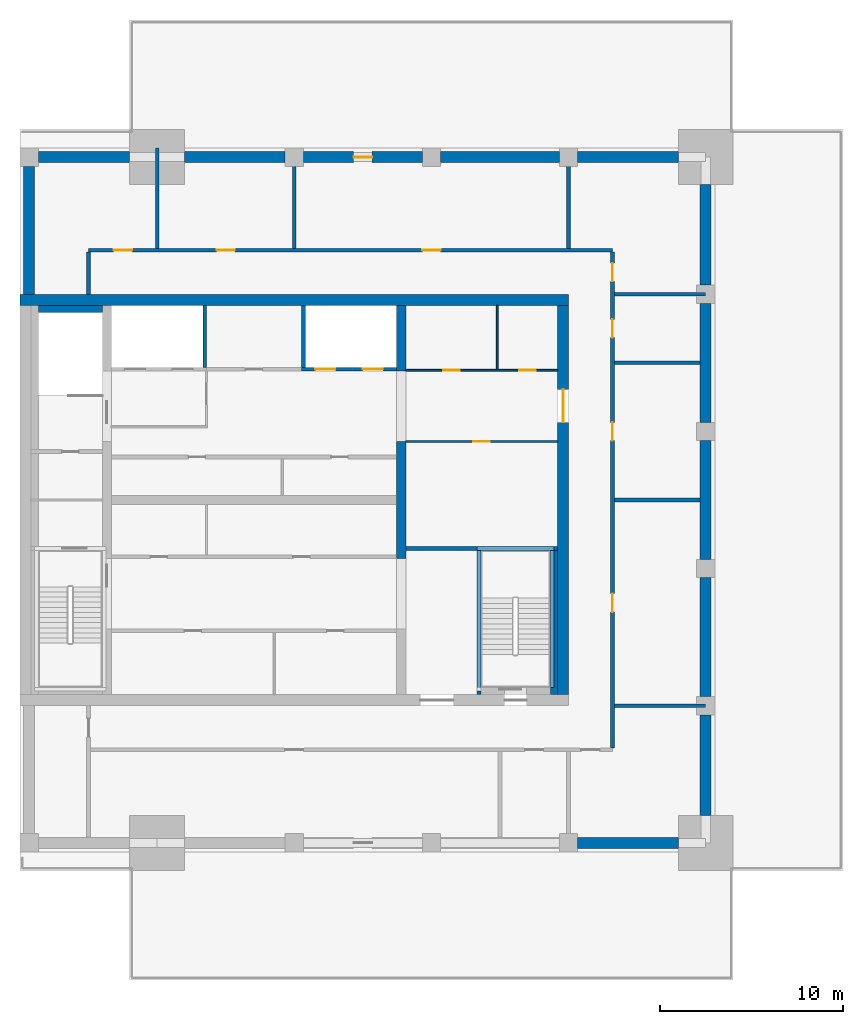
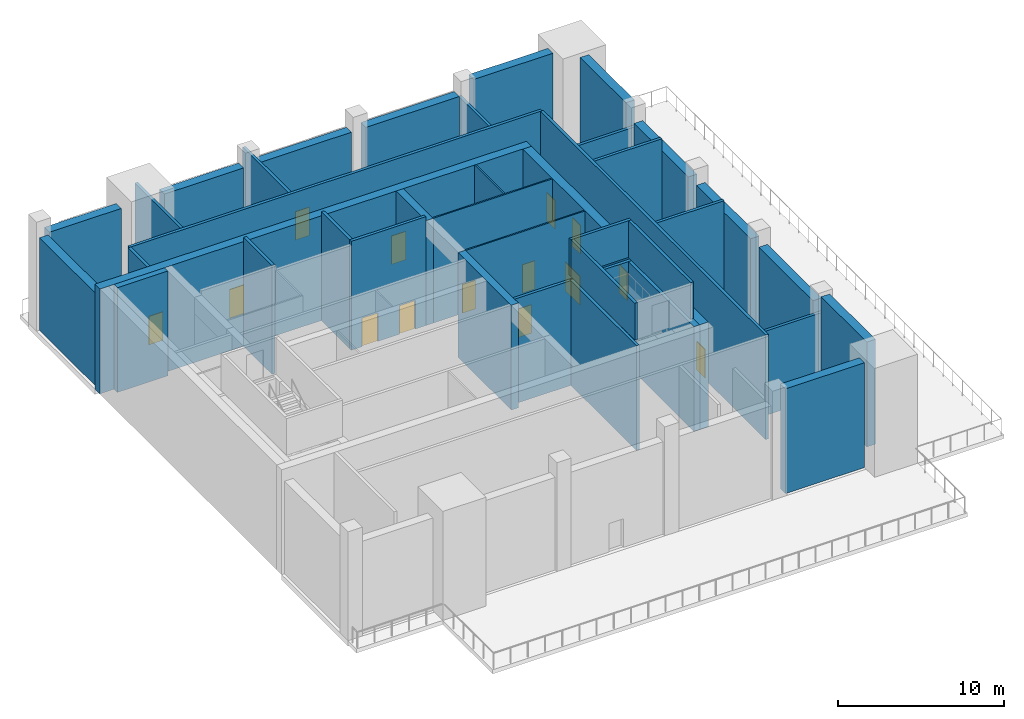
# One storey, part 3 of 7: 39 walls, 14 doors, 14 openings.
"""IFC4 building model written with IfcOpenShell, lengths in metres."""

from ifc_helpers import new_model, si_unit, direction, frame, frame_2d, origin, place, context, subcontext, project, spatial, rectangle, extrude, material, layer, layer_set, type_object, element, fill, save


model = new_model("IFC4")

# Units and contexts
model_context = context("Model", 3, precision=1e-05, world=origin(), true_north=direction((0.0, 1.0)))
body_context = subcontext(model_context, "Body", "Model", "MODEL_VIEW")
ifc_project = project(units=[si_unit("LENGTHUNIT", "METRE"), si_unit("AREAUNIT", "SQUARE_METRE"), si_unit("VOLUMEUNIT", "CUBIC_METRE"), si_unit("PLANEANGLEUNIT", "RADIAN"), si_unit("MASSUNIT", "GRAM", prefix="KILO")], contexts=[model_context])

# Site, building, storey
site_placement = place(None, origin())
site = spatial("IfcSite", under=ifc_project, at=site_placement, CompositionType="ELEMENT")
building_placement = place(site_placement, origin())
building = spatial("IfcBuilding", under=site, at=building_placement, Name="Tamorin Gate", CompositionType="ELEMENT")
storey_placement = place(building_placement, frame((0.0, 0.0, 320.199951171875)))
storey = spatial("IfcBuildingStorey", under=building, at=storey_placement, Name="L78", CompositionType="ELEMENT", Elevation=320.199951171875)

# Walls
ifc_material_1 = material(Name="Concrete C40/50", Category="concrete")
ifc_layer_1 = layer(ifc_material_1, 0.199951171875)
ifc_layer_set_1 = layer_set([ifc_layer_1], Name="Head-house wall 200 EI 120 C40/50")
wall_type_1 = type_object("IfcWallType", Name="Head-house wall 200 EI 120 C40/50", PredefinedType="SOLIDWALL", material=ifc_layer_set_1)
wall_1_placement = place(storey_placement, frame((55.10009765625, 60.800048828125, 8.0), z_axis=(0.0, 0.0, 1.0), x_axis=(0.0, 1.0, 0.0)))
element("IfcWall", 1, at=wall_1_placement, inside=storey, type_object=wall_type_1, Name="Head-house wall", PredefinedType="SOLIDWALL", context=body_context, shape_type="SweptSolid", body=[
    extrude(rectangle(XDim=7.89990234375, YDim=0.199951171875, at=frame_2d((3.949951171875, 0.0))), origin(), (0.0, 0.0, 1.0), 2.699951171875),
])
wall_2_placement = place(storey_placement, frame((59.10009765625, 61.0, 8.0), z_axis=(0.0, 0.0, 1.0), x_axis=(0.0, 1.0, 0.0)))
element("IfcWall", 2, at=wall_2_placement, inside=storey, type_object=wall_type_1, Name="Head-house wall", PredefinedType="SOLIDWALL", context=body_context, shape_type="SweptSolid", body=[
    extrude(rectangle(XDim=7.699951171875, YDim=0.199951171875, at=frame_2d((3.85009765625, 0.0))), origin(), (0.0, 0.0, 1.0), 2.699951171875),
])
wall_3_placement = place(storey_placement, frame((55.0, 68.60009765625, 8.0), z_axis=(0.0, 0.0, 1.0), x_axis=(1.0, 0.0, 0.0)))
element("IfcWall", 3, at=wall_3_placement, inside=storey, type_object=wall_type_1, Name="Head-house wall", PredefinedType="SOLIDWALL", context=body_context, shape_type="SweptSolid", body=[
    extrude(rectangle(XDim=4.199951171875, YDim=0.199951171875, at=frame_2d((2.10009765625, 0.0))), origin(), (0.0, 0.0, 1.0), 2.699951171875),
])

# Wall, openings, doors
ifc_material_2 = material(Name="Concrete C32/40", Category="concrete")
ifc_layer_2 = layer(ifc_material_2, 0.199951171875)
ifc_layer_set_2 = layer_set([ifc_layer_2], Name="Lift lobby face wall 200 EI 120")
wall_type_2 = type_object("IfcWallType", Name="Lift lobby face wall 200 EI 120", PredefinedType="SOLIDWALL", material=ifc_layer_set_2)
wall_4_placement = place(storey_placement, frame((45.39990234375, 78.39990234375, 0.0), z_axis=(0.0, 0.0, 1.0), x_axis=(1.0, 0.0, 0.0)))
wall_4 = element("IfcWall", 4, at=wall_4_placement, inside=storey, type_object=wall_type_2, Name="Lift lobby face wall", PredefinedType="SOLIDWALL", context=body_context, shape_type="SweptSolid", body=[
    extrude(rectangle(XDim=5.2001953125, YDim=0.199951171875, at=frame_2d((2.60009765625, 0.0))), origin(), (0.0, 0.0, 1.0), 8.0),
])
opening_1_placement = place(wall_4_placement, frame((0.75, 0.0, 0.0)))
opening_1 = element("IfcOpeningElement", 5, at=opening_1_placement, cuts=wall_4, Name="Opening LD21", PredefinedType="OPENING", context=body_context, shape_type="SweptSolid", body=[
    extrude(rectangle(XDim=1.10009765625, YDim=2.10009765625, at=frame_2d((0.550048828125, 1.050048828125))), frame((0.0, 0.10986328125, 0.0), z_axis=(0.0, -1.0, 0.0), x_axis=(1.0, 0.0, 0.0)), (0.0, 0.0, 1.0), 0.219970703125),
])
opening_2_placement = place(wall_4_placement, frame((3.35009765625, 0.0, 0.0)))
opening_2 = element("IfcOpeningElement", 6, at=opening_2_placement, cuts=wall_4, Name="Opening LD22", PredefinedType="OPENING", context=body_context, shape_type="SweptSolid", body=[
    extrude(rectangle(XDim=1.10009765625, YDim=2.10009765625, at=frame_2d((0.550048828125, 1.050048828125))), frame((0.0, 0.10986328125, 0.0), z_axis=(0.0, -1.0, 0.0), x_axis=(1.0, 0.0, 0.0)), (0.0, 0.0, 1.0), 0.219970703125),
])
ifc_material_3 = material(Name="Stainless steel sliding door", Category="steel")
door_type_1 = type_object("IfcDoorType", Name="Lift landing door 1100 x 2100 E 90", OperationType="DOUBLE_DOOR_SLIDING", PredefinedType="DOOR", material=ifc_material_3)
door_1_placement = place(opening_1_placement, origin())
door_1 = element("IfcDoor", 7, at=door_1_placement, inside=storey, type_object=door_type_1, Name="SV1 landing door", OperationType="DOUBLE_DOOR_SLIDING", OverallHeight=2.10009765625, OverallWidth=1.10009765625, PredefinedType="DOOR", context=body_context, shape_type="SweptSolid", body=[
    extrude(rectangle(XDim=1.10009765625, YDim=2.10009765625, at=frame_2d((0.550048828125, 1.050048828125))), frame((0.0, 0.02490234375, 0.0), z_axis=(0.0, -1.0, 0.0), x_axis=(1.0, 0.0, 0.0)), (0.0, 0.0, 1.0), 0.050048828125),
])
fill(opening_1, door_1)
door_2_placement = place(opening_2_placement, origin())
door_2 = element("IfcDoor", 8, at=door_2_placement, inside=storey, type_object=door_type_1, Name="SV2 landing door", OperationType="DOUBLE_DOOR_SLIDING", OverallHeight=2.10009765625, OverallWidth=1.10009765625, PredefinedType="DOOR", context=body_context, shape_type="SweptSolid", body=[
    extrude(rectangle(XDim=1.10009765625, YDim=2.10009765625, at=frame_2d((0.550048828125, 1.050048828125))), frame((0.0, 0.02490234375, 0.0), z_axis=(0.0, -1.0, 0.0), x_axis=(1.0, 0.0, 0.0)), (0.0, 0.0, 1.0), 0.050048828125),
])
fill(opening_2, door_2)

# Walls
ifc_layer_3 = layer(ifc_material_2, 0.199951171875)
ifc_layer_set_3 = layer_set([ifc_layer_3], Name="Lift shaft wall 200 EI 120")
wall_type_3 = type_object("IfcWallType", Name="Lift shaft wall 200 EI 120", PredefinedType="SOLIDWALL", material=ifc_layer_set_3)
for number, where, z_axis, x_axis, name in (
    (9, (40.10009765625, 78.5, 0.0), (0.0, 0.0, 1.0), (0.0, 1.0, 0.0), "Lift shaft wall"),
    (10, (45.5, 78.5, 0.0), (0.0, 0.0, 1.0), (0.0, 1.0, 0.0), "Lift shaft wall"),
):
    element("IfcWall", number, at=place(storey_placement, frame(where, z_axis=z_axis, x_axis=x_axis)), inside=storey, type_object=wall_type_3, Name=name, PredefinedType="SOLIDWALL", context=body_context, shape_type="SweptSolid", body=[
        extrude(rectangle(XDim=3.39990234375, YDim=0.199951171875, at=frame_2d((1.699951171875, 0.0))), origin(), (0.0, 0.0, 1.0), 8.0),
    ])
ifc_material_4 = material(Name="Aluminium louvres in concrete frame", Category="concrete")
ifc_layer_4 = layer(ifc_material_4, 0.60009765625)
ifc_layer_set_4 = layer_set([ifc_layer_4], Name="Louvred plant wall 600")
wall_type_4 = type_object("IfcWallType", Name="Louvred plant wall 600", PredefinedType="ELEMENTEDWALL", material=ifc_layer_set_4)
for number, where, z_axis, x_axis, name in (
    (11, (60.5, 52.5, 0.0), (0.0, 0.0, 1.0), (1.0, 0.0, 0.0), "Louvred plant wall"),
    (12, (67.5, 54.0, 0.0), (0.0, 0.0, 1.0), (0.0, 1.0, 0.0), "Louvred plant wall"),
):
    element("IfcWall", number, at=place(storey_placement, frame(where, z_axis=z_axis, x_axis=x_axis)), inside=storey, type_object=wall_type_4, Name=name, PredefinedType="ELEMENTEDWALL", context=body_context, shape_type="SweptSolid", body=[
        extrude(rectangle(XDim=5.5, YDim=0.60009765625, at=frame_2d((2.75, 0.0))), origin(), (0.0, 0.0, 1.0), 7.699951171875),
    ])
for number, where, z_axis, x_axis, name in (
    (13, (67.5, 60.5, 0.0), (0.0, 0.0, 1.0), (0.0, 1.0, 0.0), "Louvred plant wall"),
    (14, (67.5, 68.0, 0.0), (0.0, 0.0, 1.0), (0.0, 1.0, 0.0), "Louvred plant wall"),
    (15, (67.5, 75.5, 0.0), (0.0, 0.0, 1.0), (0.0, 1.0, 0.0), "Louvred plant wall"),
):
    element("IfcWall", number, at=place(storey_placement, frame(where, z_axis=z_axis, x_axis=x_axis)), inside=storey, type_object=wall_type_4, Name=name, PredefinedType="ELEMENTEDWALL", context=body_context, shape_type="SweptSolid", body=[
        extrude(rectangle(XDim=6.5, YDim=0.60009765625, at=frame_2d((3.25, 0.0))), origin(), (0.0, 0.0, 1.0), 6.800048828125),
    ])
for number, where, z_axis, x_axis, name in (
    (16, (67.5, 83.0, 0.0), (0.0, 0.0, 1.0), (0.0, 1.0, 0.0), "Louvred plant wall"),
    (17, (66.0, 90.0, 0.0), (0.0, 0.0, 1.0), (-1.0, 0.0, 0.0), "Louvred plant wall"),
):
    element("IfcWall", number, at=place(storey_placement, frame(where, z_axis=z_axis, x_axis=x_axis)), inside=storey, type_object=wall_type_4, Name=name, PredefinedType="ELEMENTEDWALL", context=body_context, shape_type="SweptSolid", body=[
        extrude(rectangle(XDim=5.5, YDim=0.60009765625, at=frame_2d((2.75, 0.0))), origin(), (0.0, 0.0, 1.0), 7.699951171875),
    ])
wall_5_placement = place(storey_placement, frame((59.5, 90.0, 0.0), z_axis=(0.0, 0.0, 1.0), x_axis=(-1.0, 0.0, 0.0)))
element("IfcWall", 18, at=wall_5_placement, inside=storey, type_object=wall_type_4, Name="Louvred plant wall", PredefinedType="ELEMENTEDWALL", context=body_context, shape_type="SweptSolid", body=[
    extrude(rectangle(XDim=6.5, YDim=0.60009765625, at=frame_2d((3.25, 0.0))), origin(), (0.0, 0.0, 1.0), 6.800048828125),
])

# Wall, opening, door
wall_6_placement = place(storey_placement, frame((52.0, 90.0, 0.0), z_axis=(0.0, 0.0, 1.0), x_axis=(-1.0, 0.0, 0.0)))
wall_6 = element("IfcWall", 19, at=wall_6_placement, inside=storey, type_object=wall_type_4, Name="Louvred plant wall", PredefinedType="ELEMENTEDWALL", context=body_context, shape_type="SweptSolid", body=[
    extrude(rectangle(XDim=6.5, YDim=0.60009765625, at=frame_2d((3.25, 0.0))), origin(), (0.0, 0.0, 1.0), 6.800048828125),
])
opening_3_placement = place(wall_6_placement, frame((2.75, 0.0, 0.0)))
opening_3 = element("IfcOpeningElement", 20, at=opening_3_placement, cuts=wall_6, Name="Opening DX2", PredefinedType="OPENING", context=body_context, shape_type="SweptSolid", body=[
    extrude(rectangle(XDim=1.0, YDim=2.10009765625, at=frame_2d((0.5, 1.050048828125))), frame((0.0, 0.31005859375, 0.0), z_axis=(0.0, -1.0, 0.0), x_axis=(1.0, 0.0, 0.0)), (0.0, 0.0, 1.0), 0.6201171875),
])
ifc_material_5 = material(Name="Steel louvred leaf", Category="steel")
door_type_2 = type_object("IfcDoorType", Name="Plant door 1000x2100", OperationType="SINGLE_SWING_LEFT", PredefinedType="DOOR", material=ifc_material_5)
door_3_placement = place(opening_3_placement, origin())
door_3 = element("IfcDoor", 21, at=door_3_placement, inside=storey, type_object=door_type_2, Name="Plant door onto roof terrace", OperationType="SINGLE_SWING_LEFT", OverallHeight=2.10009765625, OverallWidth=1.0, PredefinedType="DOOR", context=body_context, shape_type="SweptSolid", body=[
    extrude(rectangle(XDim=1.0, YDim=2.10009765625, at=frame_2d((0.5, 1.050048828125))), frame((0.0, 0.02490234375, 0.0), z_axis=(0.0, -1.0, 0.0), x_axis=(1.0, 0.0, 0.0)), (0.0, 0.0, 1.0), 0.050048828125),
])
fill(opening_3, door_3)

# Walls
wall_7_placement = place(storey_placement, frame((44.5, 90.0, 0.0), z_axis=(0.0, 0.0, 1.0), x_axis=(-1.0, 0.0, 0.0)))
element("IfcWall", 22, at=wall_7_placement, inside=storey, type_object=wall_type_4, Name="Louvred plant wall", PredefinedType="ELEMENTEDWALL", context=body_context, shape_type="SweptSolid", body=[
    extrude(rectangle(XDim=5.5, YDim=0.60009765625, at=frame_2d((2.75, 0.0))), origin(), (0.0, 0.0, 1.0), 6.800048828125),
])
wall_8_placement = place(storey_placement, frame((36.0, 90.0, 0.0), z_axis=(0.0, 0.0, 1.0), x_axis=(-1.0, 0.0, 0.0)))
element("IfcWall", 23, at=wall_8_placement, inside=storey, type_object=wall_type_4, Name="Louvred plant wall", PredefinedType="ELEMENTEDWALL", context=body_context, shape_type="SweptSolid", body=[
    extrude(rectangle(XDim=5.0, YDim=0.60009765625, at=frame_2d((2.5, 0.0))), origin(), (0.0, 0.0, 1.0), 6.800048828125),
])
wall_9_placement = place(storey_placement, frame((30.5, 89.5, 0.0), z_axis=(0.0, 0.0, 1.0), x_axis=(0.0, -1.0, 0.0)))
element("IfcWall", 24, at=wall_9_placement, inside=storey, type_object=wall_type_4, Name="Louvred plant wall", PredefinedType="ELEMENTEDWALL", context=body_context, shape_type="SweptSolid", body=[
    extrude(rectangle(XDim=7.0, YDim=0.60009765625, at=frame_2d((3.5, 0.0))), origin(), (0.0, 0.0, 1.0), 6.800048828125),
])
ifc_material_6 = material(Name="Gypsum board partition")
ifc_layer_5 = layer(ifc_material_6, 0.199951171875)
ifc_layer_set_5 = layer_set([ifc_layer_5], Name="Plant and refuge wall 200")
wall_type_5 = type_object("IfcWallType", Name="Plant and refuge wall 200", PredefinedType="PARTITIONING", material=ifc_layer_set_5)
wall_10_placement = place(storey_placement, frame((62.5, 60.0, 0.0), z_axis=(0.0, 0.0, 1.0), x_axis=(1.0, 0.0, 0.0)))
element("IfcWall", 25, at=wall_10_placement, inside=storey, type_object=wall_type_5, Name="Plant and refuge wall 200", PredefinedType="PARTITIONING", context=body_context, shape_type="SweptSolid", body=[
    extrude(rectangle(XDim=5.0, YDim=0.199951171875, at=frame_2d((2.5, 0.0))), origin(), (0.0, 0.0, 1.0), 6.199951171875),
])
for number, where, z_axis, x_axis, name in (
    (26, (62.5, 71.25, 0.0), (0.0, 0.0, 1.0), (1.0, 0.0, 0.0), "Plant and refuge wall 200"),
    (27, (62.5, 78.75, 0.0), (0.0, 0.0, 1.0), (1.0, 0.0, 0.0), "Plant and refuge wall 200"),
):
    element("IfcWall", number, at=place(storey_placement, frame(where, z_axis=z_axis, x_axis=x_axis)), inside=storey, type_object=wall_type_5, Name=name, PredefinedType="PARTITIONING", context=body_context, shape_type="SweptSolid", body=[
        extrude(rectangle(XDim=4.68994140625, YDim=0.199951171875, at=frame_2d((2.344970703125, 0.0))), origin(), (0.0, 0.0, 1.0), 7.699951171875),
    ])
wall_11_placement = place(storey_placement, frame((62.5, 82.5, 0.0), z_axis=(0.0, 0.0, 1.0), x_axis=(1.0, 0.0, 0.0)))
element("IfcWall", 28, at=wall_11_placement, inside=storey, type_object=wall_type_5, Name="Plant and refuge wall 200", PredefinedType="PARTITIONING", context=body_context, shape_type="SweptSolid", body=[
    extrude(rectangle(XDim=5.0, YDim=0.199951171875, at=frame_2d((2.5, 0.0))), origin(), (0.0, 0.0, 1.0), 6.199951171875),
])

# Wall, openings, doors
wall_12_placement = place(storey_placement, frame((33.75, 84.89990234375, 0.0), z_axis=(0.0, 0.0, 1.0), x_axis=(1.0, 0.0, 0.0)))
wall_12 = element("IfcWall", 29, at=wall_12_placement, inside=storey, type_object=wall_type_5, Name="Plant and refuge wall 200", PredefinedType="PARTITIONING", context=body_context, shape_type="SweptSolid", body=[
    extrude(rectangle(XDim=28.64990234375, YDim=0.199951171875, at=frame_2d((14.324951171875, 0.0))), origin(), (0.0, 0.0, 1.0), 7.699951171875),
])
opening_4_placement = place(wall_12_placement, frame((1.375, 0.0, 0.0)))
opening_4 = element("IfcOpeningElement", 30, at=opening_4_placement, cuts=wall_12, Name="Opening DCR1005", PredefinedType="OPENING", context=body_context, shape_type="SweptSolid", body=[
    extrude(rectangle(XDim=1.0, YDim=2.10009765625, at=frame_2d((0.5, 1.050048828125))), frame((0.0, 0.10986328125, 0.0), z_axis=(0.0, -1.0, 0.0), x_axis=(1.0, 0.0, 0.0)), (0.0, 0.0, 1.0), 0.219970703125),
])
opening_5_placement = place(wall_12_placement, frame((7.0, 0.0, 0.0)))
opening_5 = element("IfcOpeningElement", 31, at=opening_5_placement, cuts=wall_12, Name="Opening DCR1006", PredefinedType="OPENING", context=body_context, shape_type="SweptSolid", body=[
    extrude(rectangle(XDim=1.0, YDim=2.10009765625, at=frame_2d((0.5, 1.050048828125))), frame((0.0, 0.10986328125, 0.0), z_axis=(0.0, -1.0, 0.0), x_axis=(1.0, 0.0, 0.0)), (0.0, 0.0, 1.0), 0.219970703125),
])
opening_6_placement = place(wall_12_placement, frame((18.25, 0.0, 0.0)))
opening_6 = element("IfcOpeningElement", 32, at=opening_6_placement, cuts=wall_12, Name="Opening DCR1007", PredefinedType="OPENING", context=body_context, shape_type="SweptSolid", body=[
    extrude(rectangle(XDim=1.0, YDim=2.10009765625, at=frame_2d((0.5, 1.050048828125))), frame((0.0, 0.10986328125, 0.0), z_axis=(0.0, -1.0, 0.0), x_axis=(1.0, 0.0, 0.0)), (0.0, 0.0, 1.0), 0.219970703125),
])
ifc_material_7 = material(Name="Timber door leaf", Category="wood")
door_type_3 = type_object("IfcDoorType", Name="Door 1000 x 2100 FD60", OperationType="NOTDEFINED", PredefinedType="DOOR", material=ifc_material_7)
door_4_placement = place(opening_4_placement, origin())
door_4 = element("IfcDoor", 33, at=door_4_placement, inside=storey, type_object=door_type_3, Name="Door DCR1005", OperationType="SINGLE_SWING_LEFT", OverallHeight=2.10009765625, OverallWidth=1.0, PredefinedType="DOOR", context=body_context, shape_type="SweptSolid", body=[
    extrude(rectangle(XDim=1.0, YDim=2.10009765625, at=frame_2d((0.5, 1.050048828125))), frame((0.0, 0.02490234375, 0.0), z_axis=(0.0, -1.0, 0.0), x_axis=(1.0, 0.0, 0.0)), (0.0, 0.0, 1.0), 0.050048828125),
])
fill(opening_4, door_4)
door_5_placement = place(opening_5_placement, origin())
door_5 = element("IfcDoor", 34, at=door_5_placement, inside=storey, type_object=door_type_3, Name="Door DCR1006", OperationType="SINGLE_SWING_LEFT", OverallHeight=2.10009765625, OverallWidth=1.0, PredefinedType="DOOR", context=body_context, shape_type="SweptSolid", body=[
    extrude(rectangle(XDim=1.0, YDim=2.10009765625, at=frame_2d((0.5, 1.050048828125))), frame((0.0, 0.02490234375, 0.0), z_axis=(0.0, -1.0, 0.0), x_axis=(1.0, 0.0, 0.0)), (0.0, 0.0, 1.0), 0.050048828125),
])
fill(opening_5, door_5)
door_6_placement = place(opening_6_placement, origin())
door_6 = element("IfcDoor", 35, at=door_6_placement, inside=storey, type_object=door_type_3, Name="Door DCR1007", OperationType="SINGLE_SWING_LEFT", OverallHeight=2.10009765625, OverallWidth=1.0, PredefinedType="DOOR", context=body_context, shape_type="SweptSolid", body=[
    extrude(rectangle(XDim=1.0, YDim=2.10009765625, at=frame_2d((0.5, 1.050048828125))), frame((0.0, 0.02490234375, 0.0), z_axis=(0.0, -1.0, 0.0), x_axis=(1.0, 0.0, 0.0)), (0.0, 0.0, 1.0), 0.050048828125),
])
fill(opening_6, door_6)

# Walls
wall_13_placement = place(storey_placement, frame((33.75, 82.5, 0.0), z_axis=(0.0, 0.0, 1.0), x_axis=(0.0, 1.0, 0.0)))
element("IfcWall", 36, at=wall_13_placement, inside=storey, type_object=wall_type_5, Name="Plant and refuge wall 200", PredefinedType="PARTITIONING", context=body_context, shape_type="SweptSolid", body=[
    extrude(rectangle(XDim=2.300048828125, YDim=0.199951171875, at=frame_2d((1.14990234375, 0.0))), origin(), (0.0, 0.0, 1.0), 7.699951171875),
])
for number, where, z_axis, x_axis, name in (
    (37, (37.5, 85.0, 0.0), (0.0, 0.0, 1.0), (0.0, 1.0, 0.0), "Plant and refuge wall 200"),
    (38, (45.0, 85.0, 0.0), (0.0, 0.0, 1.0), (0.0, 1.0, 0.0), "Plant and refuge wall 200"),
):
    element("IfcWall", number, at=place(storey_placement, frame(where, z_axis=z_axis, x_axis=x_axis)), inside=storey, type_object=wall_type_5, Name=name, PredefinedType="PARTITIONING", context=body_context, shape_type="SweptSolid", body=[
        extrude(rectangle(XDim=5.5, YDim=0.199951171875, at=frame_2d((2.75, 0.0))), origin(), (0.0, 0.0, 1.0), 7.699951171875),
    ])
wall_14_placement = place(storey_placement, frame((60.0, 85.0, 0.0), z_axis=(0.0, 0.0, 1.0), x_axis=(0.0, 1.0, 0.0)))
element("IfcWall", 39, at=wall_14_placement, inside=storey, type_object=wall_type_5, Name="Plant and refuge wall 200", PredefinedType="PARTITIONING", context=body_context, shape_type="SweptSolid", body=[
    extrude(rectangle(XDim=5.5, YDim=0.199951171875, at=frame_2d((2.75, 0.0))), origin(), (0.0, 0.0, 1.0), 6.199951171875),
])

# Wall, openings, doors
wall_15_placement = place(storey_placement, frame((62.39990234375, 57.699951171875, 0.0), z_axis=(0.0, 0.0, 1.0), x_axis=(0.0, 1.0, 0.0)))
wall_15 = element("IfcWall", 40, at=wall_15_placement, inside=storey, type_object=wall_type_5, Name="Plant and refuge wall 200", PredefinedType="PARTITIONING", context=body_context, shape_type="SweptSolid", body=[
    extrude(rectangle(XDim=27.10009765625, YDim=0.199951171875, at=frame_2d((13.550048828125, 0.0))), origin(), (0.0, 0.0, 1.0), 7.699951171875),
])
opening_7_placement = place(wall_15_placement, frame((25.5, 0.0, 0.0)))
opening_7 = element("IfcOpeningElement", 41, at=opening_7_placement, cuts=wall_15, Name="Opening DCR1008", PredefinedType="OPENING", context=body_context, shape_type="SweptSolid", body=[
    extrude(rectangle(XDim=1.0, YDim=2.10009765625, at=frame_2d((0.5, 1.050048828125))), frame((0.0, 0.10986328125, 0.0), z_axis=(0.0, -1.0, 0.0), x_axis=(1.0, 0.0, 0.0)), (0.0, 0.0, 1.0), 0.219970703125),
])
opening_8_placement = place(wall_15_placement, frame((7.425048828125, 0.0, 0.0)))
opening_8 = element("IfcOpeningElement", 42, at=opening_8_placement, cuts=wall_15, Name="Opening DCR1009", PredefinedType="OPENING", context=body_context, shape_type="SweptSolid", body=[
    extrude(rectangle(XDim=1.0, YDim=2.10009765625, at=frame_2d((0.5, 1.050048828125))), frame((0.0, 0.10986328125, 0.0), z_axis=(0.0, -1.0, 0.0), x_axis=(1.0, 0.0, 0.0)), (0.0, 0.0, 1.0), 0.219970703125),
])
opening_9_placement = place(wall_15_placement, frame((16.800048828125, 0.0, 0.0)))
opening_9 = element("IfcOpeningElement", 43, at=opening_9_placement, cuts=wall_15, Name="Opening DCR1010", PredefinedType="OPENING", context=body_context, shape_type="SweptSolid", body=[
    extrude(rectangle(XDim=1.0, YDim=2.10009765625, at=frame_2d((0.5, 1.050048828125))), frame((0.0, 0.10986328125, 0.0), z_axis=(0.0, -1.0, 0.0), x_axis=(1.0, 0.0, 0.0)), (0.0, 0.0, 1.0), 0.219970703125),
])
opening_10_placement = place(wall_15_placement, frame((22.425048828125, 0.0, 0.0)))
opening_10 = element("IfcOpeningElement", 44, at=opening_10_placement, cuts=wall_15, Name="Opening DCR1011", PredefinedType="OPENING", context=body_context, shape_type="SweptSolid", body=[
    extrude(rectangle(XDim=1.0, YDim=2.10009765625, at=frame_2d((0.5, 1.050048828125))), frame((0.0, 0.10986328125, 0.0), z_axis=(0.0, -1.0, 0.0), x_axis=(1.0, 0.0, 0.0)), (0.0, 0.0, 1.0), 0.219970703125),
])
door_7_placement = place(opening_7_placement, origin())
door_7 = element("IfcDoor", 45, at=door_7_placement, inside=storey, type_object=door_type_3, Name="Door DCR1008", OperationType="SINGLE_SWING_LEFT", OverallHeight=2.10009765625, OverallWidth=1.0, PredefinedType="DOOR", context=body_context, shape_type="SweptSolid", body=[
    extrude(rectangle(XDim=1.0, YDim=2.10009765625, at=frame_2d((0.5, 1.050048828125))), frame((0.0, 0.02490234375, 0.0), z_axis=(0.0, -1.0, 0.0), x_axis=(1.0, 0.0, 0.0)), (0.0, 0.0, 1.0), 0.050048828125),
])
fill(opening_7, door_7)
door_8_placement = place(opening_8_placement, origin())
door_8 = element("IfcDoor", 46, at=door_8_placement, inside=storey, type_object=door_type_3, Name="Door DCR1009", OperationType="SINGLE_SWING_RIGHT", OverallHeight=2.10009765625, OverallWidth=1.0, PredefinedType="DOOR", context=body_context, shape_type="SweptSolid", body=[
    extrude(rectangle(XDim=1.0, YDim=2.10009765625, at=frame_2d((0.5, 1.050048828125))), frame((0.0, 0.02490234375, 0.0), z_axis=(0.0, -1.0, 0.0), x_axis=(1.0, 0.0, 0.0)), (0.0, 0.0, 1.0), 0.050048828125),
])
fill(opening_8, door_8)
door_9_placement = place(opening_9_placement, origin())
door_9 = element("IfcDoor", 47, at=door_9_placement, inside=storey, type_object=door_type_3, Name="Door DCR1010", OperationType="SINGLE_SWING_RIGHT", OverallHeight=2.10009765625, OverallWidth=1.0, PredefinedType="DOOR", context=body_context, shape_type="SweptSolid", body=[
    extrude(rectangle(XDim=1.0, YDim=2.10009765625, at=frame_2d((0.5, 1.050048828125))), frame((0.0, 0.02490234375, 0.0), z_axis=(0.0, -1.0, 0.0), x_axis=(1.0, 0.0, 0.0)), (0.0, 0.0, 1.0), 0.050048828125),
])
fill(opening_9, door_9)
door_10_placement = place(opening_10_placement, origin())
door_10 = element("IfcDoor", 48, at=door_10_placement, inside=storey, type_object=door_type_3, Name="Door DCR1011", OperationType="SINGLE_SWING_RIGHT", OverallHeight=2.10009765625, OverallWidth=1.0, PredefinedType="DOOR", context=body_context, shape_type="SweptSolid", body=[
    extrude(rectangle(XDim=1.0, YDim=2.10009765625, at=frame_2d((0.5, 1.050048828125))), frame((0.0, 0.02490234375, 0.0), z_axis=(0.0, -1.0, 0.0), x_axis=(1.0, 0.0, 0.0)), (0.0, 0.0, 1.0), 0.050048828125),
])
fill(opening_10, door_10)

# Walls
ifc_material_8 = material(Name="Concrete C50/60", Category="concrete")
ifc_layer_6 = layer(ifc_material_8, 0.5)
ifc_layer_set_6 = layer_set([ifc_layer_6], Name="RC core internal wall 500 C50/60")
wall_type_6 = type_object("IfcWallType", Name="RC core internal wall 500 C50/60", PredefinedType="SHEAR", material=ifc_layer_set_6)
wall_16_placement = place(storey_placement, frame((50.85009765625, 68.050048828125, 0.0), z_axis=(0.0, 0.0, 1.0), x_axis=(0.0, 1.0, 0.0)))
element("IfcWall", 49, at=wall_16_placement, inside=storey, type_object=wall_type_6, Name="Core cross wall L78", PredefinedType="SHEAR", context=body_context, shape_type="SweptSolid", body=[
    extrude(rectangle(XDim=6.39990234375, YDim=0.5, at=frame_2d((3.199951171875, 0.0))), origin(), (0.0, 0.0, 1.0), 7.699951171875),
])
wall_17_placement = place(storey_placement, frame((50.85009765625, 78.300048828125, 0.0), z_axis=(0.0, 0.0, 1.0), x_axis=(0.0, 1.0, 0.0)))
element("IfcWall", 50, at=wall_17_placement, inside=storey, type_object=wall_type_6, Name="Core cross wall L78", PredefinedType="SHEAR", context=body_context, shape_type="SweptSolid", body=[
    extrude(rectangle(XDim=3.599853515625, YDim=0.5, at=frame_2d((1.7998046875, 0.0))), origin(), (0.0, 0.0, 1.0), 7.699951171875),
])
ifc_layer_7 = layer(ifc_material_8, 0.60009765625)
ifc_layer_set_7 = layer_set([ifc_layer_7], Name="RC core wall 600 C50/60")
wall_type_7 = type_object("IfcWallType", Name="RC core wall 600 C50/60", PredefinedType="SHEAR", material=ifc_layer_set_7)
wall_18_placement = place(storey_placement, frame((30.0, 82.199951171875, 0.0), z_axis=(0.0, 0.0, 1.0), x_axis=(1.0, 0.0, 0.0)))
element("IfcWall", 51, at=wall_18_placement, inside=storey, type_object=wall_type_7, Name="Core wall L78", PredefinedType="SHEAR", context=body_context, shape_type="SweptSolid", body=[
    extrude(rectangle(XDim=30.0, YDim=0.60009765625, at=frame_2d((15.0, 0.0))), origin(), (0.0, 0.0, 1.0), 7.699951171875),
])

# Wall, opening, door
wall_19_placement = place(storey_placement, frame((59.699951171875, 60.60009765625, 0.0), z_axis=(0.0, 0.0, 1.0), x_axis=(0.0, 1.0, 0.0)))
wall_19 = element("IfcWall", 52, at=wall_19_placement, inside=storey, type_object=wall_type_7, Name="Core wall L78", PredefinedType="SHEAR", context=body_context, shape_type="SweptSolid", body=[
    extrude(rectangle(XDim=21.2998046875, YDim=0.60009765625, at=frame_2d((10.64990234375, 0.0))), origin(), (0.0, 0.0, 1.0), 7.699951171875),
])
opening_11_placement = place(wall_19_placement, frame((14.89990234375, 0.0, 0.0)))
opening_11 = element("IfcOpeningElement", 53, at=opening_11_placement, cuts=wall_19, Name="Opening DE1", PredefinedType="OPENING", context=body_context, shape_type="SweptSolid", body=[
    extrude(rectangle(XDim=1.800048828125, YDim=2.10009765625, at=frame_2d((0.89990234375, 1.050048828125))), frame((0.0, 0.31005859375, 0.0), z_axis=(0.0, -1.0, 0.0), x_axis=(1.0, 0.0, 0.0)), (0.0, 0.0, 1.0), 0.6201171875),
])
ifc_material_9 = material(Name="Steel fire door", Category="steel")
door_type_4 = type_object("IfcDoorType", Name="Lobby exit double door 1800 x 2100 EI 60", OperationType="DOUBLE_DOOR_SINGLE_SWING", PredefinedType="DOOR", material=ifc_material_9)
door_11_placement = place(opening_11_placement, origin())
door_11 = element("IfcDoor", 54, at=door_11_placement, inside=storey, type_object=door_type_4, Name="Lift lobby B exit door", OperationType="DOUBLE_DOOR_SINGLE_SWING", OverallHeight=2.10009765625, OverallWidth=1.800048828125, PredefinedType="DOOR", context=body_context, shape_type="SweptSolid", body=[
    extrude(rectangle(XDim=1.800048828125, YDim=2.10009765625, at=frame_2d((0.89990234375, 1.050048828125))), frame((0.0, 0.02490234375, 0.0), z_axis=(0.0, -1.0, 0.0), x_axis=(1.0, 0.0, 0.0)), (0.0, 0.0, 1.0), 0.050048828125),
])
fill(opening_11, door_11)

ifc_layer_8 = layer(ifc_material_6, 0.10009765625)
ifc_layer_set_8 = layer_set([ifc_layer_8], Name="Service room partition 100 EI 60")
wall_type_8 = type_object("IfcWallType", Name="Service room partition 100 EI 60", PredefinedType="PARTITIONING", material=ifc_layer_set_8)
wall_20_placement = place(storey_placement, frame((51.10009765625, 74.449951171875, 0.0), z_axis=(0.0, 0.0, 1.0), x_axis=(1.0, 0.0, 0.0)))
wall_20 = element("IfcWall", 55, at=wall_20_placement, inside=storey, type_object=wall_type_8, Name="Service room wall", PredefinedType="PARTITIONING", context=body_context, shape_type="SweptSolid", body=[
    extrude(rectangle(XDim=8.2998046875, YDim=0.10009765625, at=frame_2d((4.14990234375, 0.0))), origin(), (0.0, 0.0, 1.0), 7.699951171875),
])
opening_12_placement = place(wall_20_placement, frame((3.699951171875, 0.0, 0.0)))
opening_12 = element("IfcOpeningElement", 56, at=opening_12_placement, cuts=wall_20, Name="Opening DR1", PredefinedType="OPENING", context=body_context, shape_type="SweptSolid", body=[
    extrude(rectangle(XDim=0.89990234375, YDim=2.10009765625, at=frame_2d((0.449951171875, 1.050048828125))), frame((0.0, 0.06005859375, 0.0), z_axis=(0.0, -1.0, 0.0), x_axis=(1.0, 0.0, 0.0)), (0.0, 0.0, 1.0), 0.1201171875),
])
door_type_5 = type_object("IfcDoorType", Name="Riser access door 900 x 2100 EI 120", OperationType="SINGLE_SWING_LEFT", PredefinedType="DOOR", material=ifc_material_9)
door_12_placement = place(opening_12_placement, origin())
door_12 = element("IfcDoor", 57, at=door_12_placement, inside=storey, type_object=door_type_5, Name="Duct riser door", OperationType="SINGLE_SWING_RIGHT", OverallHeight=2.10009765625, OverallWidth=0.89990234375, PredefinedType="DOOR", context=body_context, shape_type="SweptSolid", body=[
    extrude(rectangle(XDim=0.89990234375, YDim=2.10009765625, at=frame_2d((0.449951171875, 1.050048828125))), frame((0.0, 0.02490234375, 0.0), z_axis=(0.0, -1.0, 0.0), x_axis=(1.0, 0.0, 0.0)), (0.0, 0.0, 1.0), 0.050048828125),
])
fill(opening_12, door_12)

# Wall, openings, doors
wall_21_placement = place(storey_placement, frame((51.10009765625, 78.35009765625, 0.0), z_axis=(0.0, 0.0, 1.0), x_axis=(1.0, 0.0, 0.0)))
wall_21 = element("IfcWall", 58, at=wall_21_placement, inside=storey, type_object=wall_type_8, Name="Service room wall", PredefinedType="PARTITIONING", context=body_context, shape_type="SweptSolid", body=[
    extrude(rectangle(XDim=8.2998046875, YDim=0.10009765625, at=frame_2d((4.14990234375, 0.0))), origin(), (0.0, 0.0, 1.0), 7.699951171875),
])
opening_13_placement = place(wall_21_placement, frame((2.050048828125, 0.0, 0.0)))
opening_13 = element("IfcOpeningElement", 59, at=opening_13_placement, cuts=wall_21, Name="Opening DK1", PredefinedType="OPENING", context=body_context, shape_type="SweptSolid", body=[
    extrude(rectangle(XDim=0.89990234375, YDim=2.10009765625, at=frame_2d((0.449951171875, 1.050048828125))), frame((0.0, 0.06005859375, 0.0), z_axis=(0.0, -1.0, 0.0), x_axis=(1.0, 0.0, 0.0)), (0.0, 0.0, 1.0), 0.1201171875),
])
opening_14_placement = place(wall_21_placement, frame((6.199951171875, 0.0, 0.0)))
opening_14 = element("IfcOpeningElement", 60, at=opening_14_placement, cuts=wall_21, Name="Opening DK1", PredefinedType="OPENING", context=body_context, shape_type="SweptSolid", body=[
    extrude(rectangle(XDim=0.89990234375, YDim=2.10009765625, at=frame_2d((0.449951171875, 1.050048828125))), frame((0.0, 0.06005859375, 0.0), z_axis=(0.0, -1.0, 0.0), x_axis=(1.0, 0.0, 0.0)), (0.0, 0.0, 1.0), 0.1201171875),
])
ifc_material_10 = material(Name="Timber fire door", Category="wood")
door_type_6 = type_object("IfcDoorType", Name="Service room door 900 x 2100 EI 60", OperationType="SINGLE_SWING_LEFT", PredefinedType="DOOR", material=ifc_material_10)
door_13_placement = place(opening_13_placement, origin())
door_13 = element("IfcDoor", 61, at=door_13_placement, inside=storey, type_object=door_type_6, Name="Door Fire pump room", OperationType="SINGLE_SWING_RIGHT", OverallHeight=2.10009765625, OverallWidth=0.89990234375, PredefinedType="DOOR", context=body_context, shape_type="SweptSolid", body=[
    extrude(rectangle(XDim=0.89990234375, YDim=2.10009765625, at=frame_2d((0.449951171875, 1.050048828125))), frame((0.0, 0.02490234375, 0.0), z_axis=(0.0, -1.0, 0.0), x_axis=(1.0, 0.0, 0.0)), (0.0, 0.0, 1.0), 0.050048828125),
])
fill(opening_13, door_13)
door_14_placement = place(opening_14_placement, origin())
door_14 = element("IfcDoor", 62, at=door_14_placement, inside=storey, type_object=door_type_6, Name="Door BMS room", OperationType="SINGLE_SWING_LEFT", OverallHeight=2.10009765625, OverallWidth=0.89990234375, PredefinedType="DOOR", context=body_context, shape_type="SweptSolid", body=[
    extrude(rectangle(XDim=0.89990234375, YDim=2.10009765625, at=frame_2d((0.449951171875, 1.050048828125))), frame((0.0, 0.02490234375, 0.0), z_axis=(0.0, -1.0, 0.0), x_axis=(1.0, 0.0, 0.0)), (0.0, 0.0, 1.0), 0.050048828125),
])
fill(opening_14, door_14)

# Walls
wall_22_placement = place(storey_placement, frame((56.10009765625, 78.39990234375, 0.0), z_axis=(0.0, 0.0, 1.0), x_axis=(0.0, 1.0, 0.0)))
element("IfcWall", 63, at=wall_22_placement, inside=storey, type_object=wall_type_8, Name="Service room partition", PredefinedType="PARTITIONING", context=body_context, shape_type="SweptSolid", body=[
    extrude(rectangle(XDim=3.5, YDim=0.10009765625, at=frame_2d((1.75, 0.0))), origin(), (0.0, 0.0, 1.0), 7.699951171875),
])
ifc_layer_9 = layer(ifc_material_1, 0.199951171875)
ifc_layer_set_9 = layer_set([ifc_layer_9], Name="Stair enclosure wall 200 EI 120 C40/50")
wall_type_9 = type_object("IfcWallType", Name="Stair enclosure wall 200 EI 120 C40/50", PredefinedType="SOLIDWALL", material=ifc_layer_set_9)
wall_23_placement = place(storey_placement, frame((55.10009765625, 60.60009765625, 0.0), z_axis=(0.0, 0.0, 1.0), x_axis=(0.0, 1.0, 0.0)))
element("IfcWall", 64, at=wall_23_placement, inside=storey, type_object=wall_type_9, Name="Stair enclosure wall", PredefinedType="SOLIDWALL", context=body_context, shape_type="SweptSolid", body=[
    extrude(rectangle(XDim=8.0, YDim=0.199951171875, at=frame_2d((4.0, 0.0))), origin(), (0.0, 0.0, 1.0), 7.699951171875),
])
wall_24_placement = place(storey_placement, frame((51.10009765625, 68.60009765625, 0.0), z_axis=(0.0, 0.0, 1.0), x_axis=(1.0, 0.0, 0.0)))
element("IfcWall", 65, at=wall_24_placement, inside=storey, type_object=wall_type_9, Name="Stair enclosure wall", PredefinedType="SOLIDWALL", context=body_context, shape_type="SweptSolid", body=[
    extrude(rectangle(XDim=8.2998046875, YDim=0.199951171875, at=frame_2d((4.14990234375, 0.0))), origin(), (0.0, 0.0, 1.0), 7.699951171875),
])
ifc_layer_10 = layer(ifc_material_8, 0.39990234375)
ifc_layer_set_10 = layer_set([ifc_layer_10], Name="Stair lining wall 400 EI 120 C50/60")
wall_type_10 = type_object("IfcWallType", Name="Stair lining wall 400 EI 120 C50/60", PredefinedType="SOLIDWALL", material=ifc_layer_set_10)
wall_25_placement = place(storey_placement, frame((31.0, 81.699951171875, 0.0), z_axis=(0.0, 0.0, 1.0), x_axis=(1.0, 0.0, 0.0)))
element("IfcWall", 66, at=wall_25_placement, inside=storey, type_object=wall_type_10, Name="Stair lining wall", PredefinedType="SOLIDWALL", context=body_context, shape_type="SweptSolid", body=[
    extrude(rectangle(XDim=3.5, YDim=0.39990234375, at=frame_2d((1.75, 0.0))), origin(), (0.0, 0.0, 1.0), 7.699951171875),
])
wall_26_placement = place(storey_placement, frame((59.199951171875, 60.60009765625, 0.0), z_axis=(0.0, 0.0, 1.0), x_axis=(0.0, 1.0, 0.0)))
element("IfcWall", 67, at=wall_26_placement, inside=storey, type_object=wall_type_10, Name="Stair lining wall", PredefinedType="SOLIDWALL", context=body_context, shape_type="SweptSolid", body=[
    extrude(rectangle(XDim=7.89990234375, YDim=0.39990234375, at=frame_2d((3.949951171875, 0.0))), origin(), (0.0, 0.0, 1.0), 7.699951171875),
])

save(model, "model.ifc")
